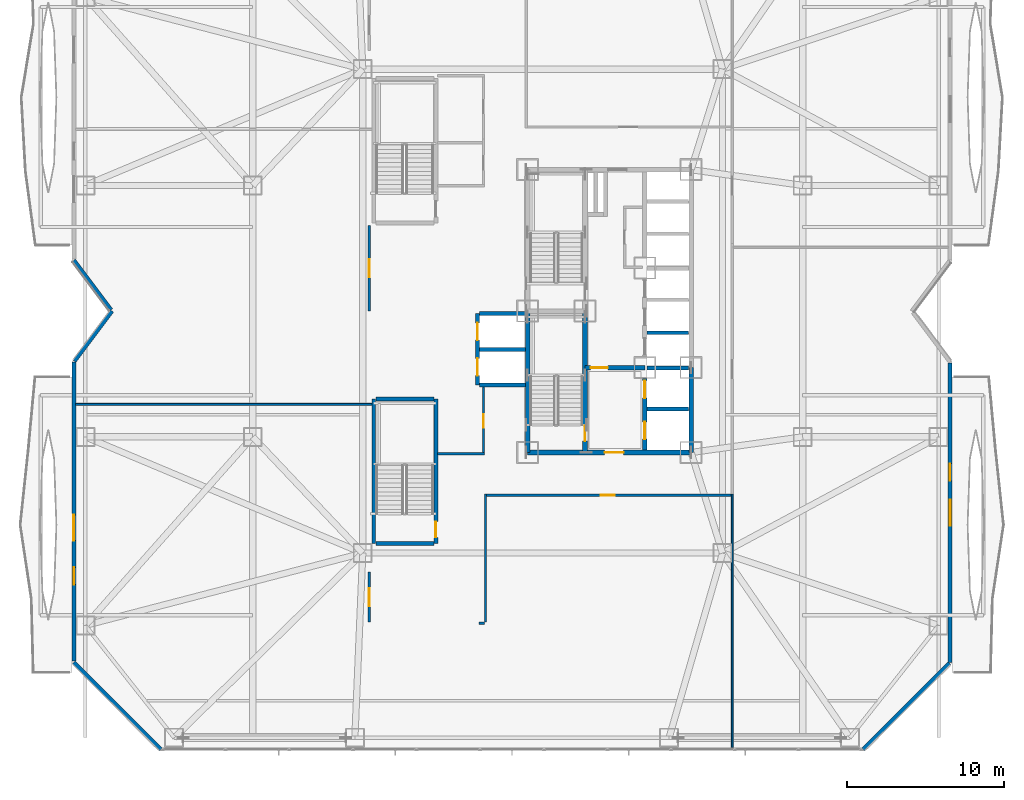
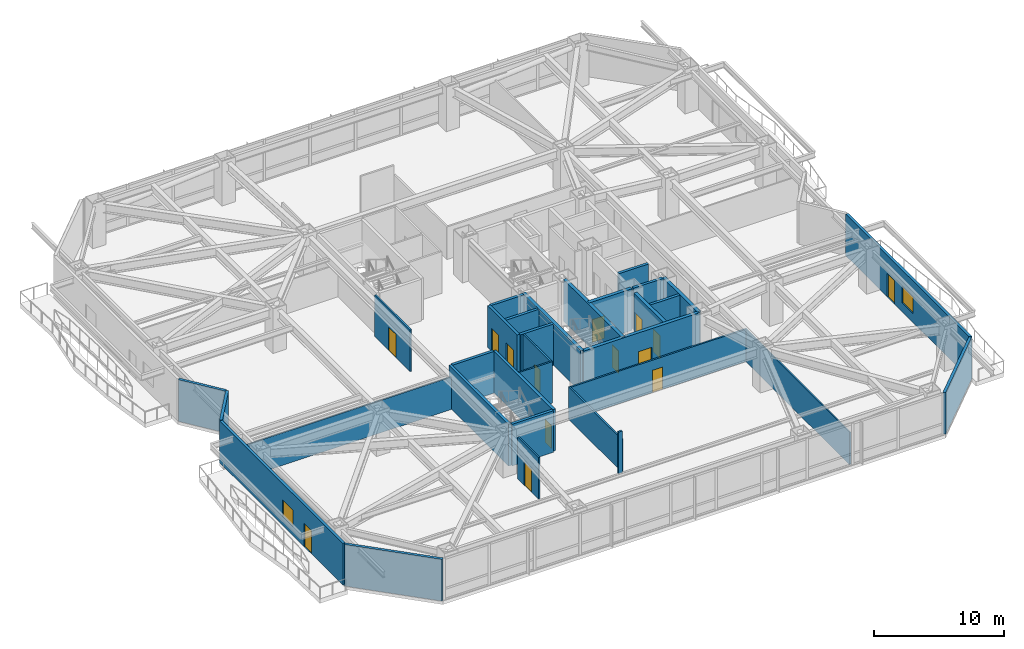
# One storey, part 23 of 32: 32 walls, 14 doors, 2 windows, 16 openings.
"""IFC4 building model written with IfcOpenShell, lengths in metres."""

from ifc_helpers import new_model, si_unit, direction, frame, frame_2d, origin, place, context, subcontext, project, spatial, rectangle, extrude, material, layer, layer_set, type_object, element, fill, save


model = new_model("IFC4")

# Units and contexts
model_context = context("Model", 3, precision=1e-05, world=origin(), true_north=direction((0.0, 1.0)))
body_context = subcontext(model_context, "Body", "Model", "MODEL_VIEW")
ifc_project = project(units=[si_unit("LENGTHUNIT", "METRE"), si_unit("AREAUNIT", "SQUARE_METRE"), si_unit("VOLUMEUNIT", "CUBIC_METRE"), si_unit("PLANEANGLEUNIT", "RADIAN"), si_unit("MASSUNIT", "GRAM", prefix="KILO")], contexts=[model_context])

# Site, building, storey
site_placement = place(None, origin())
site = spatial("IfcSite", under=ifc_project, at=site_placement, CompositionType="ELEMENT")
building_placement = place(site_placement, origin())
building = spatial("IfcBuilding", under=site, at=building_placement, Name="Khamvora Tower", CompositionType="ELEMENT")
storey_placement = place(building_placement, frame((0.0, 0.0, 12.0)))
storey = spatial("IfcBuildingStorey", under=building, at=storey_placement, Name="L02", CompositionType="ELEMENT", Elevation=12.0)

# Wall
ifc_material_1 = material(Name="Concrete C50/60", Category="concrete")
ifc_layer_1 = layer(ifc_material_1, 0.300048828125)
ifc_layer_set_1 = layer_set([ifc_layer_1], Name="Concrete C50/60")
wall_type_1 = type_object("IfcWallType", Name="WAL-CORE-300", PredefinedType="SHEAR", material=ifc_layer_set_1)
wall_1_placement = place(storey_placement, frame((29.0, 19.0, 0.0), z_axis=(0.0, 0.0, 1.0), x_axis=(0.0, 1.0, 0.0)))
element("IfcWall", 1, at=wall_1_placement, inside=storey, type_object=wall_type_1, Name="L02 central core west south wall", PredefinedType="SHEAR", context=body_context, shape_type="SweptSolid", body=[
    extrude(rectangle(XDim=9.0, YDim=0.300048828125, at=frame_2d((4.5, 0.0))), origin(), (0.0, 0.0, 1.0), 3.919921875),
])

# Wall, opening, door
wall_2_placement = place(storey_placement, frame((29.0, 19.0, 0.0), z_axis=(0.0, 0.0, 1.0), x_axis=(1.0, 0.0, 0.0)))
wall_2 = element("IfcWall", 2, at=wall_2_placement, inside=storey, type_object=wall_type_1, Name="L02 central core south wall", PredefinedType="SHEAR", context=body_context, shape_type="SweptSolid", body=[
    extrude(rectangle(XDim=10.39990234375, YDim=0.300048828125, at=frame_2d((5.199951171875, 0.0))), origin(), (0.0, 0.0, 1.0), 3.919921875),
])
opening_1_placement = place(wall_2_placement, frame((4.89990234375, 0.0, 0.0)))
opening_1 = element("IfcOpeningElement", 3, at=opening_1_placement, cuts=wall_2, Name="Opening D-CR1", PredefinedType="OPENING", context=body_context, shape_type="SweptSolid", body=[
    extrude(rectangle(XDim=1.199951171875, YDim=2.14990234375, at=frame_2d((0.60009765625, 1.074951171875))), frame((0.0, 0.159912109375, 0.0), z_axis=(0.0, -1.0, 0.0), x_axis=(1.0, 0.0, 0.0)), (0.0, 0.0, 1.0), 0.320068359375),
])
ifc_material_2 = material(Name="Powder-Coated Steel and Hardwood Leaf", Category="steel")
door_type_1 = type_object("IfcDoorType", Name="DOR-CORR-1200", OperationType="NOTDEFINED", PredefinedType="DOOR", material=ifc_material_2)
door_1_placement = place(opening_1_placement, origin())
door_1 = element("IfcDoor", 4, at=door_1_placement, inside=storey, type_object=door_type_1, Name="L02 south core lobby to corridor fire door", OperationType="SINGLE_SWING_RIGHT", OverallHeight=2.14990234375, OverallWidth=1.199951171875, PredefinedType="DOOR", context=body_context, shape_type="SweptSolid", body=[
    extrude(rectangle(XDim=1.199951171875, YDim=2.14990234375, at=frame_2d((0.60009765625, 1.074951171875))), frame((0.0, 0.02490234375, 0.0), z_axis=(0.0, -1.0, 0.0), x_axis=(1.0, 0.0, 0.0)), (0.0, 0.0, 1.0), 0.050048828125),
])
fill(opening_1, door_1)

# Wall
wall_3_placement = place(storey_placement, frame((39.39990234375, 19.0, 0.0), z_axis=(0.0, 0.0, 1.0), x_axis=(0.0, 1.0, 0.0)))
element("IfcWall", 5, at=wall_3_placement, inside=storey, type_object=wall_type_1, Name="L02 central core east south wall", PredefinedType="SHEAR", context=body_context, shape_type="SweptSolid", body=[
    extrude(rectangle(XDim=5.39990234375, YDim=0.300048828125, at=frame_2d((2.699951171875, 0.0))), origin(), (0.0, 0.0, 1.0), 3.919921875),
])

# Wall, opening, door
wall_4_placement = place(storey_placement, frame((32.64990234375, 19.0, 0.0), z_axis=(0.0, 0.0, 1.0), x_axis=(0.0, 1.0, 0.0)))
wall_4 = element("IfcWall", 6, at=wall_4_placement, inside=storey, type_object=wall_type_1, Name="L02 central core stair south spine wall", PredefinedType="SHEAR", context=body_context, shape_type="SweptSolid", body=[
    extrude(rectangle(XDim=9.0, YDim=0.300048828125, at=frame_2d((4.5, 0.0))), origin(), (0.0, 0.0, 1.0), 3.919921875),
])
opening_2_placement = place(wall_4_placement, frame((0.719970703125, 0.0, 0.0)))
opening_2 = element("IfcOpeningElement", 7, at=opening_2_placement, cuts=wall_4, Name="Opening D-ST1", PredefinedType="OPENING", context=body_context, shape_type="SweptSolid", body=[
    extrude(rectangle(XDim=1.0, YDim=2.14990234375, at=frame_2d((0.5, 1.074951171875))), frame((0.0, 0.159912109375, 0.0), z_axis=(0.0, -1.0, 0.0), x_axis=(1.0, 0.0, 0.0)), (0.0, 0.0, 1.0), 0.320068359375),
])
door_type_2 = type_object("IfcDoorType", Name="DOR-STAIR-1000", OperationType="NOTDEFINED", PredefinedType="DOOR", material=ifc_material_2)
door_2_placement = place(opening_2_placement, origin())
door_2 = element("IfcDoor", 8, at=door_2_placement, inside=storey, type_object=door_type_2, Name="L02 exit stair ST-01 fire door", OperationType="SINGLE_SWING_RIGHT", OverallHeight=2.14990234375, OverallWidth=1.0, PredefinedType="DOOR", context=body_context, shape_type="SweptSolid", body=[
    extrude(rectangle(XDim=1.0, YDim=2.14990234375, at=frame_2d((0.5, 1.074951171875))), frame((0.0, 0.02490234375, 0.0), z_axis=(0.0, -1.0, 0.0), x_axis=(1.0, 0.0, 0.0)), (0.0, 0.0, 1.0), 0.050048828125),
])
fill(opening_2, door_2)

wall_5_placement = place(storey_placement, frame((32.64990234375, 24.39990234375, 0.0), z_axis=(0.0, 0.0, 1.0), x_axis=(1.0, 0.0, 0.0)))
wall_5 = element("IfcWall", 9, at=wall_5_placement, inside=storey, type_object=wall_type_1, Name="L02 central core firefighting lobby north wall", PredefinedType="SHEAR", context=body_context, shape_type="SweptSolid", body=[
    extrude(rectangle(XDim=3.800048828125, YDim=0.300048828125, at=frame_2d((1.89990234375, 0.0))), origin(), (0.0, 0.0, 1.0), 3.919921875),
])
opening_3_placement = place(wall_5_placement, frame((0.35009765625, 0.0, 0.0)))
opening_3 = element("IfcOpeningElement", 10, at=opening_3_placement, cuts=wall_5, Name="Opening D-FF1", PredefinedType="OPENING", context=body_context, shape_type="SweptSolid", body=[
    extrude(rectangle(XDim=1.10009765625, YDim=2.14990234375, at=frame_2d((0.550048828125, 1.074951171875))), frame((0.0, 0.159912109375, 0.0), z_axis=(0.0, -1.0, 0.0), x_axis=(1.0, 0.0, 0.0)), (0.0, 0.0, 1.0), 0.320068359375),
])
door_type_3 = type_object("IfcDoorType", Name="DOR-FFLOB-1100", OperationType="NOTDEFINED", PredefinedType="DOOR", material=ifc_material_2)
door_3_placement = place(opening_3_placement, origin())
door_3 = element("IfcDoor", 11, at=door_3_placement, inside=storey, type_object=door_type_3, Name="L02 firefighting lobby smoke-seal fire door", OperationType="SINGLE_SWING_LEFT", OverallHeight=2.14990234375, OverallWidth=1.10009765625, PredefinedType="DOOR", context=body_context, shape_type="SweptSolid", body=[
    extrude(rectangle(XDim=1.10009765625, YDim=2.14990234375, at=frame_2d((0.550048828125, 1.074951171875))), frame((0.0, 0.02490234375, 0.0), z_axis=(0.0, -1.0, 0.0), x_axis=(1.0, 0.0, 0.0)), (0.0, 0.0, 1.0), 0.050048828125),
])
fill(opening_3, door_3)

# Wall, openings, doors
wall_6_placement = place(storey_placement, frame((36.449951171875, 19.154052734375, 0.0), z_axis=(0.0, 0.0, 1.0), x_axis=(0.0, 1.0, 0.0)))
wall_6 = element("IfcWall", 12, at=wall_6_placement, inside=storey, type_object=wall_type_1, Name="L02 central core lift bank south wall", PredefinedType="SHEAR", context=body_context, shape_type="SweptSolid", body=[
    extrude(rectangle(XDim=4.5458984375, YDim=0.300048828125, at=frame_2d((2.27294921875, 0.0))), origin(), (0.0, 0.0, 1.0), 3.919921875),
])
opening_4_placement = place(wall_6_placement, frame((0.696044921875, 0.0, 0.0)))
opening_4 = element("IfcOpeningElement", 13, at=opening_4_placement, cuts=wall_6, Name="Opening LD-FFL", PredefinedType="OPENING", context=body_context, shape_type="SweptSolid", body=[
    extrude(rectangle(XDim=1.10009765625, YDim=2.14990234375, at=frame_2d((0.550048828125, 1.074951171875))), frame((0.0, 0.159912109375, 0.0), z_axis=(0.0, -1.0, 0.0), x_axis=(1.0, 0.0, 0.0)), (0.0, 0.0, 1.0), 0.320068359375),
])
opening_5_placement = place(wall_6_placement, frame((3.31591796875, 0.0, 0.0)))
opening_5 = element("IfcOpeningElement", 14, at=opening_5_placement, cuts=wall_6, Name="Opening LD-FFL", PredefinedType="OPENING", context=body_context, shape_type="SweptSolid", body=[
    extrude(rectangle(XDim=1.10009765625, YDim=2.14990234375, at=frame_2d((0.550048828125, 1.074951171875))), frame((0.0, 0.159912109375, 0.0), z_axis=(0.0, -1.0, 0.0), x_axis=(1.0, 0.0, 0.0)), (0.0, 0.0, 1.0), 0.320068359375),
])
door_type_4 = type_object("IfcDoorType", Name="DOR-LIFT-1100", OperationType="SLIDING_TO_LEFT", PredefinedType="DOOR", material=ifc_material_2)
door_4_placement = place(opening_4_placement, origin())
door_4 = element("IfcDoor", 15, at=door_4_placement, inside=storey, type_object=door_type_4, Name="L02 lift landing sliding door FFL-01", OperationType="SLIDING_TO_LEFT", OverallHeight=2.14990234375, OverallWidth=1.10009765625, PredefinedType="DOOR", context=body_context, shape_type="SweptSolid", body=[
    extrude(rectangle(XDim=1.10009765625, YDim=2.14990234375, at=frame_2d((0.550048828125, 1.074951171875))), frame((0.0, 0.02490234375, 0.0), z_axis=(0.0, -1.0, 0.0), x_axis=(1.0, 0.0, 0.0)), (0.0, 0.0, 1.0), 0.050048828125),
])
fill(opening_4, door_4)
door_5_placement = place(opening_5_placement, origin())
door_5 = element("IfcDoor", 16, at=door_5_placement, inside=storey, type_object=door_type_4, Name="L02 lift landing sliding door FFL-02", OperationType="SLIDING_TO_LEFT", OverallHeight=2.14990234375, OverallWidth=1.10009765625, PredefinedType="DOOR", context=body_context, shape_type="SweptSolid", body=[
    extrude(rectangle(XDim=1.10009765625, YDim=2.14990234375, at=frame_2d((0.550048828125, 1.074951171875))), frame((0.0, 0.02490234375, 0.0), z_axis=(0.0, -1.0, 0.0), x_axis=(1.0, 0.0, 0.0)), (0.0, 0.0, 1.0), 0.050048828125),
])
fill(opening_5, door_5)

# Wall
ifc_material_3 = material(Name="Fire-Rated Drywall and Steel Stud", Category="steel")
ifc_layer_2 = layer(ifc_material_3, 0.14990234375)
ifc_layer_set_2 = layer_set([ifc_layer_2], Name="Fire-Rated Drywall and Steel Stud")
wall_type_2 = type_object("IfcWallType", Name="WAL-CORR-150", PredefinedType="STANDARD", material=ifc_layer_set_2)
wall_7_placement = place(storey_placement, frame((23.26708984375, 18.9150390625, 0.0), z_axis=(0.0, 0.0, 1.0), x_axis=(1.0, 0.0, 0.0)))
element("IfcWall", 17, at=wall_7_placement, inside=storey, type_object=wall_type_2, Name="L02 interior partition wall 004", PredefinedType="STANDARD", context=body_context, shape_type="SweptSolid", body=[
    extrude(rectangle(XDim=2.98291015625, YDim=0.14990234375, at=frame_2d((1.491455078125, 0.0))), origin(), (0.0, 0.0, 1.0), 3.919921875),
])

# Wall, opening, door
wall_8_placement = place(storey_placement, frame((26.18505859375, 18.85205078125, 0.0), z_axis=(0.0, 0.0, 1.0), x_axis=(0.0, 1.0, 0.0)))
wall_8 = element("IfcWall", 18, at=wall_8_placement, inside=storey, type_object=wall_type_2, Name="L02 interior partition wall 005", PredefinedType="STANDARD", context=body_context, shape_type="SweptSolid", body=[
    extrude(rectangle(XDim=4.3310546875, YDim=0.14990234375, at=frame_2d((2.16552734375, 0.0))), origin(), (0.0, 0.0, 1.0), 3.919921875),
])
opening_6_placement = place(wall_8_placement, frame((1.740966796875, 0.0, 0.0)))
opening_6 = element("IfcOpeningElement", 19, at=opening_6_placement, cuts=wall_8, Name="Opening D-WC1", PredefinedType="OPENING", context=body_context, shape_type="SweptSolid", body=[
    extrude(rectangle(XDim=0.85009765625, YDim=2.10009765625, at=frame_2d((0.425048828125, 1.050048828125))), frame((0.0, 0.0849609375, 0.0), z_axis=(0.0, -1.0, 0.0), x_axis=(1.0, 0.0, 0.0)), (0.0, 0.0, 1.0), 0.169921875),
])
door_type_5 = type_object("IfcDoorType", Name="DOR-WET-850", OperationType="NOTDEFINED", PredefinedType="DOOR", material=ifc_material_2)
door_6_placement = place(opening_6_placement, origin())
door_6 = element("IfcDoor", 20, at=door_6_placement, inside=storey, type_object=door_type_5, Name="L02 interior door SCOR-WCM", OperationType="SINGLE_SWING_LEFT", OverallHeight=2.10009765625, OverallWidth=0.85009765625, PredefinedType="DOOR", context=body_context, shape_type="SweptSolid", body=[
    extrude(rectangle(XDim=0.85009765625, YDim=2.10009765625, at=frame_2d((0.425048828125, 1.050048828125))), frame((0.0, 0.02490234375, 0.0), z_axis=(0.0, -1.0, 0.0), x_axis=(1.0, 0.0, 0.0)), (0.0, 0.0, 1.0), 0.050048828125),
])
fill(opening_6, door_6)

wall_9_placement = place(storey_placement, frame((18.9150390625, 8.199951171875, 0.0), z_axis=(0.0, 0.0, 1.0), x_axis=(0.0, 1.0, 0.0)))
wall_9 = element("IfcWall", 21, at=wall_9_placement, inside=storey, type_object=wall_type_2, Name="L02 interior partition wall 010", PredefinedType="STANDARD", context=body_context, shape_type="SweptSolid", body=[
    extrude(rectangle(XDim=3.199951171875, YDim=0.14990234375, at=frame_2d((1.60009765625, 0.0))), origin(), (0.0, 0.0, 1.0), 3.919921875),
])
opening_7_placement = place(wall_9_placement, frame((1.02490234375, 0.0, 0.0)))
opening_7 = element("IfcOpeningElement", 22, at=opening_7_placement, cuts=wall_9, Name="Opening D-SC1", PredefinedType="OPENING", context=body_context, shape_type="SweptSolid", body=[
    extrude(rectangle(XDim=1.14990234375, YDim=2.199951171875, at=frame_2d((0.574951171875, 1.10009765625))), frame((0.0, 0.0849609375, 0.0), z_axis=(0.0, -1.0, 0.0), x_axis=(1.0, 0.0, 0.0)), (0.0, 0.0, 1.0), 0.169921875),
])
door_type_6 = type_object("IfcDoorType", Name="DOR-SCHL-1150", OperationType="NOTDEFINED", PredefinedType="DOOR", material=ifc_material_2)
door_7_placement = place(opening_7_placement, origin())
door_7 = element("IfcDoor", 23, at=door_7_placement, inside=storey, type_object=door_type_6, Name="L02 interior door SCOR-CL1", OperationType="SINGLE_SWING_RIGHT", OverallHeight=2.199951171875, OverallWidth=1.14990234375, PredefinedType="DOOR", context=body_context, shape_type="SweptSolid", body=[
    extrude(rectangle(XDim=1.14990234375, YDim=2.199951171875, at=frame_2d((0.574951171875, 1.10009765625))), frame((0.0, 0.02490234375, 0.0), z_axis=(0.0, -1.0, 0.0), x_axis=(1.0, 0.0, 0.0)), (0.0, 0.0, 1.0), 0.050048828125),
])
fill(opening_7, door_7)

wall_10_placement = place(storey_placement, frame((18.9150390625, 28.0, 0.0), z_axis=(0.0, 0.0, 1.0), x_axis=(0.0, 1.0, 0.0)))
wall_10 = element("IfcWall", 24, at=wall_10_placement, inside=storey, type_object=wall_type_2, Name="L02 interior partition wall 011", PredefinedType="STANDARD", context=body_context, shape_type="SweptSolid", body=[
    extrude(rectangle(XDim=5.449951171875, YDim=0.14990234375, at=frame_2d((2.72509765625, 0.0))), origin(), (0.0, 0.0, 1.0), 3.919921875),
])
opening_8_placement = place(wall_10_placement, frame((2.14990234375, 0.0, 0.0)))
opening_8 = element("IfcOpeningElement", 25, at=opening_8_placement, cuts=wall_10, Name="Opening D-SC1", PredefinedType="OPENING", context=body_context, shape_type="SweptSolid", body=[
    extrude(rectangle(XDim=1.14990234375, YDim=2.199951171875, at=frame_2d((0.574951171875, 1.10009765625))), frame((0.0, 0.0849609375, 0.0), z_axis=(0.0, -1.0, 0.0), x_axis=(1.0, 0.0, 0.0)), (0.0, 0.0, 1.0), 0.169921875),
])
door_8_placement = place(opening_8_placement, origin())
door_8 = element("IfcDoor", 26, at=door_8_placement, inside=storey, type_object=door_type_6, Name="L02 interior door SCOR-CL2", OperationType="SINGLE_SWING_LEFT", OverallHeight=2.199951171875, OverallWidth=1.14990234375, PredefinedType="DOOR", context=body_context, shape_type="SweptSolid", body=[
    extrude(rectangle(XDim=1.14990234375, YDim=2.199951171875, at=frame_2d((0.574951171875, 1.10009765625))), frame((0.0, 0.02490234375, 0.0), z_axis=(0.0, -1.0, 0.0), x_axis=(1.0, 0.0, 0.0)), (0.0, 0.0, 1.0), 0.050048828125),
])
fill(opening_8, door_8)

wall_11_placement = place(storey_placement, frame((41.949951171875, 16.284912109375, 0.0), z_axis=(0.0, 0.0, 1.0), x_axis=(-1.0, 0.0, 0.0)))
wall_11 = element("IfcWall", 27, at=wall_11_placement, inside=storey, type_object=wall_type_2, Name="L02 interior partition wall 015", PredefinedType="STANDARD", context=body_context, shape_type="SweptSolid", body=[
    extrude(rectangle(XDim=15.699951171875, YDim=0.14990234375, at=frame_2d((7.85009765625, 0.0))), origin(), (0.0, 0.0, 1.0), 3.054931640625),
])
opening_9_placement = place(wall_11_placement, frame((7.39990234375, 0.0, 0.0)))
opening_9 = element("IfcOpeningElement", 28, at=opening_9_placement, cuts=wall_11, Name="Opening D-RM1", PredefinedType="OPENING", context=body_context, shape_type="SweptSolid", body=[
    extrude(rectangle(XDim=0.89990234375, YDim=2.10009765625, at=frame_2d((0.449951171875, 1.050048828125))), frame((0.0, 0.0849609375, 0.0), z_axis=(0.0, -1.0, 0.0), x_axis=(1.0, 0.0, 0.0)), (0.0, 0.0, 1.0), 0.169921875),
])
door_type_7 = type_object("IfcDoorType", Name="DOR-ROOM-900", OperationType="NOTDEFINED", PredefinedType="DOOR", material=ifc_material_2)
door_9_placement = place(opening_9_placement, origin())
door_9 = element("IfcDoor", 29, at=door_9_placement, inside=storey, type_object=door_type_7, Name="L02 interior door SCOR-STF", OperationType="SINGLE_SWING_LEFT", OverallHeight=2.10009765625, OverallWidth=0.89990234375, PredefinedType="DOOR", context=body_context, shape_type="SweptSolid", body=[
    extrude(rectangle(XDim=0.89990234375, YDim=2.10009765625, at=frame_2d((0.449951171875, 1.050048828125))), frame((0.0, 0.02490234375, 0.0), z_axis=(0.0, -1.0, 0.0), x_axis=(1.0, 0.0, 0.0)), (0.0, 0.0, 1.0), 0.050048828125),
])
fill(opening_9, door_9)

# Walls
wall_12_placement = place(storey_placement, frame((26.31494140625, 16.35009765625, 0.0), z_axis=(0.0, 0.0, 1.0), x_axis=(0.0, -1.0, 0.0)))
element("IfcWall", 30, at=wall_12_placement, inside=storey, type_object=wall_type_2, Name="L02 interior partition wall 016", PredefinedType="STANDARD", context=body_context, shape_type="SweptSolid", body=[
    extrude(rectangle(XDim=8.150146484375, YDim=0.14990234375, at=frame_2d((4.0751953125, 0.0))), origin(), (0.0, 0.0, 1.0), 3.054931640625),
])
wall_13_placement = place(storey_placement, frame((26.25, 8.135009765625, 0.0), z_axis=(0.0, 0.0, 1.0), x_axis=(-1.0, 0.0, 0.0)))
element("IfcWall", 31, at=wall_13_placement, inside=storey, type_object=wall_type_2, Name="L02 interior partition wall 017", PredefinedType="STANDARD", context=body_context, shape_type="SweptSolid", body=[
    extrude(rectangle(XDim=0.339111328125, YDim=0.14990234375, at=frame_2d((0.16943359375, 0.0))), origin(), (0.0, 0.0, 1.0), 3.919921875),
])
ifc_material_4 = material(Name="Precast concrete C40/50", Category="concrete")
ifc_layer_3 = layer(ifc_material_4, 0.239990234375)
ifc_layer_set_3 = layer_set([ifc_layer_3], Name="Precast concrete C40/50")
wall_type_3 = type_object("IfcWallType", Name="WAL-EXT-240", PredefinedType="STANDARD", material=ifc_layer_set_3)
wall_14_placement = place(storey_placement, frame((5.64990234375, 0.1201171875, 0.0), z_axis=(0.0, 0.0, 1.0), x_axis=(-0.707106781187, 0.707106781187, 0.0)))
element("IfcWall", 32, at=wall_14_placement, inside=storey, type_object=wall_type_3, Name="L02 exterior facade wall 01.1", PredefinedType="STANDARD", context=body_context, shape_type="SweptSolid", body=[
    extrude(rectangle(XDim=7.8203125, YDim=0.239990234375, at=frame_2d((3.91015625, 0.0))), origin(), (0.0, 0.0, 1.0), 3.919921875),
])

# Wall, openings, door, window
wall_15_placement = place(storey_placement, frame((0.1201171875, 5.72802734375, 0.0), z_axis=(0.0, 0.0, 1.0), x_axis=(0.0, 1.0, 0.0)))
wall_15 = element("IfcWall", 33, at=wall_15_placement, inside=storey, type_object=wall_type_3, Name="L02 exterior facade wall 02.1", PredefinedType="STANDARD", context=body_context, shape_type="SweptSolid", body=[
    extrude(rectangle(XDim=19.031982421875, YDim=0.239990234375, at=frame_2d((9.51611328125, 0.0))), origin(), (0.0, 0.0, 1.0), 3.919921875),
])
opening_10_placement = place(wall_15_placement, frame((4.868896484375, 0.0, 0.0)))
opening_10 = element("IfcOpeningElement", 34, at=opening_10_placement, cuts=wall_15, Name="Opening BD-01", PredefinedType="OPENING", context=body_context, shape_type="SweptSolid", body=[
    extrude(rectangle(XDim=1.10009765625, YDim=2.199951171875, at=frame_2d((0.550048828125, 1.10009765625))), frame((0.0, 0.1298828125, 0.0), z_axis=(0.0, -1.0, 0.0), x_axis=(1.0, 0.0, 0.0)), (0.0, 0.0, 1.0), 0.260009765625),
])
opening_11_placement = place(wall_15_placement, frame((7.660888671875, 0.0, 0.85009765625)))
opening_11 = element("IfcOpeningElement", 35, at=opening_11_placement, cuts=wall_15, Name="Opening WN-06", PredefinedType="OPENING", context=body_context, shape_type="SweptSolid", body=[
    extrude(rectangle(XDim=1.64990234375, YDim=1.550048828125, at=frame_2d((0.824951171875, 0.77490234375))), frame((0.0, 0.1298828125, 0.0), z_axis=(0.0, -1.0, 0.0), x_axis=(1.0, 0.0, 0.0)), (0.0, 0.0, 1.0), 0.260009765625),
])
ifc_material_5 = material(Name="Anodised Aluminium and Laminated Safety Glass", Category="aluminium")
door_type_8 = type_object("IfcDoorType", Name="DOR-BAL-1100", OperationType="NOTDEFINED", PredefinedType="DOOR", material=ifc_material_5)
door_10_placement = place(opening_10_placement, origin())
door_10 = element("IfcDoor", 36, at=door_10_placement, inside=storey, type_object=door_type_8, Name="L02 lens gallery balcony door WL1", OperationType="SLIDING_TO_LEFT", OverallHeight=2.199951171875, OverallWidth=1.10009765625, PredefinedType="DOOR", context=body_context, shape_type="SweptSolid", body=[
    extrude(rectangle(XDim=1.10009765625, YDim=2.199951171875, at=frame_2d((0.550048828125, 1.10009765625))), frame((0.0, 0.02490234375, 0.0), z_axis=(0.0, -1.0, 0.0), x_axis=(1.0, 0.0, 0.0)), (0.0, 0.0, 1.0), 0.050048828125),
])
fill(opening_10, door_10)
ifc_material_6 = material(Name="Low-E Laminated Double Glazing", Category="glass")
window_type = type_object("IfcWindowType", Name="WIN-VIS-1650x1550", PartitioningType="SINGLE_PANEL", PredefinedType="WINDOW", material=ifc_material_6)
window_1_placement = place(opening_11_placement, origin())
window_1 = element("IfcWindow", 37, at=window_1_placement, inside=storey, type_object=window_type, Name="L02 vision window 02.1.01", OverallHeight=1.550048828125, OverallWidth=1.64990234375, PartitioningType="SINGLE_PANEL", PredefinedType="WINDOW", context=body_context, shape_type="SweptSolid", body=[
    extrude(rectangle(XDim=1.64990234375, YDim=1.550048828125, at=frame_2d((0.824951171875, 0.77490234375))), frame((0.0, 0.030029296875, 0.0), z_axis=(0.0, -1.0, 0.0), x_axis=(1.0, 0.0, 0.0)), (0.0, 0.0, 1.0), 0.06005859375),
])
fill(opening_11, window_1)

# Walls
wall_16_placement = place(storey_placement, frame((0.157958984375, 24.81103515625, 0.0), z_axis=(0.0, 0.0, 1.0), x_axis=(0.600058791648, 0.799955902889, 0.0)))
element("IfcWall", 38, at=wall_16_placement, inside=storey, type_object=wall_type_3, Name="L02 exterior facade wall 03.1", PredefinedType="STANDARD", context=body_context, shape_type="SweptSolid", body=[
    extrude(rectangle(XDim=3.986328125, YDim=0.239990234375, at=frame_2d((1.9931640625, 0.0))), origin(), (0.0, 0.0, 1.0), 3.919921875),
])
wall_17_placement = place(storey_placement, frame((2.487060546875, 28.083984375, 0.0), z_axis=(0.0, 0.0, 1.0), x_axis=(-0.599990098106, 0.800007426325, 0.0)))
element("IfcWall", 39, at=wall_17_placement, inside=storey, type_object=wall_type_3, Name="L02 exterior facade wall 04.1", PredefinedType="STANDARD", context=body_context, shape_type="SweptSolid", body=[
    extrude(rectangle(XDim=3.945068359375, YDim=0.239990234375, at=frame_2d((1.97265625, 0.0))), origin(), (0.0, 0.0, 1.0), 3.919921875),
])

# Wall, openings, door, window
wall_18_placement = place(storey_placement, frame((55.8798828125, 24.697998046875, 0.0), z_axis=(0.0, 0.0, 1.0), x_axis=(0.0, -1.0, 0.0)))
wall_18 = element("IfcWall", 40, at=wall_18_placement, inside=storey, type_object=wall_type_3, Name="L02 exterior facade wall 12.1", PredefinedType="STANDARD", context=body_context, shape_type="SweptSolid", body=[
    extrude(rectangle(XDim=19.048095703125, YDim=0.239990234375, at=frame_2d((9.52392578125, 0.0))), origin(), (0.0, 0.0, 1.0), 3.919921875),
])
opening_12_placement = place(wall_18_placement, frame((6.40087890625, 0.0, 0.0)))
opening_12 = element("IfcOpeningElement", 41, at=opening_12_placement, cuts=wall_18, Name="Opening BD-01", PredefinedType="OPENING", context=body_context, shape_type="SweptSolid", body=[
    extrude(rectangle(XDim=1.10009765625, YDim=2.199951171875, at=frame_2d((0.550048828125, 1.10009765625))), frame((0.0, 0.1298828125, 0.0), z_axis=(0.0, -1.0, 0.0), x_axis=(1.0, 0.0, 0.0)), (0.0, 0.0, 1.0), 0.260009765625),
])
opening_13_placement = place(wall_18_placement, frame((8.698974609375, 0.0, 0.85009765625)))
opening_13 = element("IfcOpeningElement", 42, at=opening_13_placement, cuts=wall_18, Name="Opening WN-06", PredefinedType="OPENING", context=body_context, shape_type="SweptSolid", body=[
    extrude(rectangle(XDim=1.64990234375, YDim=1.550048828125, at=frame_2d((0.824951171875, 0.77490234375))), frame((0.0, 0.1298828125, 0.0), z_axis=(0.0, -1.0, 0.0), x_axis=(1.0, 0.0, 0.0)), (0.0, 0.0, 1.0), 0.260009765625),
])
door_11_placement = place(opening_12_placement, origin())
door_11 = element("IfcDoor", 43, at=door_11_placement, inside=storey, type_object=door_type_8, Name="L02 lens gallery balcony door EL1", OperationType="SLIDING_TO_LEFT", OverallHeight=2.199951171875, OverallWidth=1.10009765625, PredefinedType="DOOR", context=body_context, shape_type="SweptSolid", body=[
    extrude(rectangle(XDim=1.10009765625, YDim=2.199951171875, at=frame_2d((0.550048828125, 1.10009765625))), frame((0.0, 0.02490234375, 0.0), z_axis=(0.0, -1.0, 0.0), x_axis=(1.0, 0.0, 0.0)), (0.0, 0.0, 1.0), 0.050048828125),
])
fill(opening_12, door_11)
window_2_placement = place(opening_13_placement, origin())
window_2 = element("IfcWindow", 44, at=window_2_placement, inside=storey, type_object=window_type, Name="L02 vision window 12.1.01", OverallHeight=1.550048828125, OverallWidth=1.64990234375, PartitioningType="SINGLE_PANEL", PredefinedType="WINDOW", context=body_context, shape_type="SweptSolid", body=[
    extrude(rectangle(XDim=1.64990234375, YDim=1.550048828125, at=frame_2d((0.824951171875, 0.77490234375))), frame((0.0, 0.030029296875, 0.0), z_axis=(0.0, -1.0, 0.0), x_axis=(1.0, 0.0, 0.0)), (0.0, 0.0, 1.0), 0.06005859375),
])
fill(opening_13, window_2)

# Walls
wall_19_placement = place(storey_placement, frame((55.825927734375, 5.595947265625, 0.0), z_axis=(0.0, 0.0, 1.0), x_axis=(-0.707106781187, -0.707106781187, 0.0)))
element("IfcWall", 45, at=wall_19_placement, inside=storey, type_object=wall_type_3, Name="L02 exterior facade wall 13.1", PredefinedType="STANDARD", context=body_context, shape_type="SweptSolid", body=[
    extrude(rectangle(XDim=7.743896484375, YDim=0.239990234375, at=frame_2d((3.8720703125, 0.0))), origin(), (0.0, 0.0, 1.0), 3.919921875),
])
ifc_material_7 = material(Name="Gypsum Plasterboard Partition", Category="gypsum")
ifc_layer_4 = layer(ifc_material_7, 0.1201171875)
ifc_layer_set_4 = layer_set([ifc_layer_4], Name="Gypsum Plasterboard Partition")
wall_type_4 = type_object("IfcWallType", Name="WAL-PART-120", PredefinedType="PARTITIONING", material=ifc_layer_set_4)
wall_20_placement = place(storey_placement, frame((0.23193359375, 22.06494140625, 0.0), z_axis=(0.0, 0.0, 1.0), x_axis=(1.0, 0.0, 0.0)))
element("IfcWall", 46, at=wall_20_placement, inside=storey, type_object=wall_type_4, Name="L02 interior partition wall 022", PredefinedType="PARTITIONING", context=body_context, shape_type="SweptSolid", body=[
    extrude(rectangle(XDim=18.84912109375, YDim=0.1201171875, at=frame_2d((9.424560546875, 0.0))), origin(), (0.0, 0.0, 1.0), 3.054931640625),
])
wall_21_placement = place(storey_placement, frame((42.014892578125, 0.221923828125, 0.0), z_axis=(0.0, 0.0, 1.0), x_axis=(0.0, 1.0, 0.0)))
element("IfcWall", 47, at=wall_21_placement, inside=storey, type_object=wall_type_4, Name="L02 interior partition wall 025", PredefinedType="PARTITIONING", context=body_context, shape_type="SweptSolid", body=[
    extrude(rectangle(XDim=16.128173828125, YDim=0.1201171875, at=frame_2d((8.06396484375, 0.0))), origin(), (0.0, 0.0, 1.0), 3.054931640625),
])
ifc_material_8 = material(Name="Concrete C40/50", Category="concrete")
ifc_layer_5 = layer(ifc_material_8, 0.25)
ifc_layer_set_5 = layer_set([ifc_layer_5], Name="Concrete C40/50")
wall_type_5 = type_object("IfcWallType", Name="WAL-PODS-250", PredefinedType="SHEAR", material=ifc_layer_set_5)
for number, where, z_axis, x_axis, name in (
    (48, (36.60400390625, 21.77490234375, 0.0), (0.0, 0.0, 1.0), (1.0, 0.0, 0.0), "L02 lift shaft divider wall FFL-01"),
    (49, (36.60400390625, 24.375, 0.0), (0.0, 0.0, 1.0), (1.0, 0.0, 0.0), "L02 lift shaft divider wall FFL-02"),
    (50, (36.60400390625, 26.625, 0.0), (0.0, 0.0, 1.0), (1.0, 0.0, 0.0), "L02 lift shaft divider wall PL-01"),
):
    element("IfcWall", number, at=place(storey_placement, frame(where, z_axis=z_axis, x_axis=x_axis)), inside=storey, type_object=wall_type_5, Name=name, PredefinedType="SHEAR", context=body_context, shape_type="SweptSolid", body=[
        extrude(rectangle(XDim=2.64208984375, YDim=0.25, at=frame_2d((1.321044921875, 0.0))), origin(), (0.0, 0.0, 1.0), 3.919921875),
    ])
wall_22_placement = place(storey_placement, frame((19.199951171875, 13.199951171875, 0.0), z_axis=(0.0, 0.0, 1.0), x_axis=(0.0, 1.0, 0.0)))
element("IfcWall", 51, at=wall_22_placement, inside=storey, type_object=wall_type_5, Name="L02 podium stair core wall st3 w", PredefinedType="SHEAR", context=body_context, shape_type="SweptSolid", body=[
    extrude(rectangle(XDim=9.199951171875, YDim=0.25, at=frame_2d((4.60009765625, 0.0))), origin(), (0.0, 0.0, 1.0), 3.919921875),
])

# Wall, opening, door
wall_23_placement = place(storey_placement, frame((23.14990234375, 13.199951171875, 0.0), z_axis=(0.0, 0.0, 1.0), x_axis=(0.0, 1.0, 0.0)))
wall_23 = element("IfcWall", 52, at=wall_23_placement, inside=storey, type_object=wall_type_5, Name="L02 podium stair core wall st3 e", PredefinedType="SHEAR", context=body_context, shape_type="SweptSolid", body=[
    extrude(rectangle(XDim=9.199951171875, YDim=0.25, at=frame_2d((4.60009765625, 0.0))), origin(), (0.0, 0.0, 1.0), 3.919921875),
])
opening_14_placement = place(wall_23_placement, frame((0.39990234375, 0.0, 0.0)))
opening_14 = element("IfcOpeningElement", 53, at=opening_14_placement, cuts=wall_23, Name="Opening D-ST1", PredefinedType="OPENING", context=body_context, shape_type="SweptSolid", body=[
    extrude(rectangle(XDim=1.0, YDim=2.14990234375, at=frame_2d((0.5, 1.074951171875))), frame((0.0, 0.135009765625, 0.0), z_axis=(0.0, -1.0, 0.0), x_axis=(1.0, 0.0, 0.0)), (0.0, 0.0, 1.0), 0.27001953125),
])
door_12_placement = place(opening_14_placement, origin())
door_12 = element("IfcDoor", 54, at=door_12_placement, inside=storey, type_object=door_type_2, Name="L02 podium stair ST3 enclosure door", OperationType="SINGLE_SWING_LEFT", OverallHeight=2.14990234375, OverallWidth=1.0, PredefinedType="DOOR", context=body_context, shape_type="SweptSolid", body=[
    extrude(rectangle(XDim=1.0, YDim=2.14990234375, at=frame_2d((0.5, 1.074951171875))), frame((0.0, 0.02490234375, 0.0), z_axis=(0.0, -1.0, 0.0), x_axis=(1.0, 0.0, 0.0)), (0.0, 0.0, 1.0), 0.050048828125),
])
fill(opening_14, door_12)

# Walls
for number, where, z_axis, x_axis, name in (
    (55, (19.3291015625, 13.199951171875, 0.0), (0.0, 0.0, 1.0), (1.0, 0.0, 0.0), "L02 podium stair core wall st3 s"),
    (56, (19.3291015625, 22.39990234375, 0.0), (0.0, 0.0, 1.0), (1.0, 0.0, 0.0), "L02 podium stair core wall st3 n"),
):
    element("IfcWall", number, at=place(storey_placement, frame(where, z_axis=z_axis, x_axis=x_axis)), inside=storey, type_object=wall_type_5, Name=name, PredefinedType="SHEAR", context=body_context, shape_type="SweptSolid", body=[
        extrude(rectangle(XDim=3.69189453125, YDim=0.25, at=frame_2d((1.845947265625, 0.0))), origin(), (0.0, 0.0, 1.0), 3.919921875),
    ])

# Wall, openings, doors
wall_24_placement = place(storey_placement, frame((25.800048828125, 23.300048828125, 0.0), z_axis=(0.0, 0.0, 1.0), x_axis=(0.0, 1.0, 0.0)))
wall_24 = element("IfcWall", 57, at=wall_24_placement, inside=storey, type_object=wall_type_5, Name="L02 podium lift shaft wall slw w", PredefinedType="SHEAR", context=body_context, shape_type="SweptSolid", body=[
    extrude(rectangle(XDim=4.550048828125, YDim=0.25, at=frame_2d((2.27490234375, 0.0))), origin(), (0.0, 0.0, 1.0), 3.919921875),
])
opening_15_placement = place(wall_24_placement, frame((0.60009765625, 0.0, 0.0)))
opening_15 = element("IfcOpeningElement", 58, at=opening_15_placement, cuts=wall_24, Name="Opening LD-SL", PredefinedType="OPENING", context=body_context, shape_type="SweptSolid", body=[
    extrude(rectangle(XDim=1.10009765625, YDim=2.14990234375, at=frame_2d((0.550048828125, 1.074951171875))), frame((0.0, 0.135009765625, 0.0), z_axis=(0.0, -1.0, 0.0), x_axis=(1.0, 0.0, 0.0)), (0.0, 0.0, 1.0), 0.27001953125),
])
opening_16_placement = place(wall_24_placement, frame((2.85009765625, 0.0, 0.0)))
opening_16 = element("IfcOpeningElement", 59, at=opening_16_placement, cuts=wall_24, Name="Opening LD-SL", PredefinedType="OPENING", context=body_context, shape_type="SweptSolid", body=[
    extrude(rectangle(XDim=1.10009765625, YDim=2.14990234375, at=frame_2d((0.550048828125, 1.074951171875))), frame((0.0, 0.135009765625, 0.0), z_axis=(0.0, -1.0, 0.0), x_axis=(1.0, 0.0, 0.0)), (0.0, 0.0, 1.0), 0.27001953125),
])
door_type_9 = type_object("IfcDoorType", Name="DOR-LIFT-1100S", OperationType="SLIDING_TO_LEFT", PredefinedType="DOOR", material=ifc_material_2)
door_13_placement = place(opening_15_placement, origin())
door_13 = element("IfcDoor", 60, at=door_13_placement, inside=storey, type_object=door_type_9, Name="L02 school lift landing sliding door SL-01", OperationType="SLIDING_TO_LEFT", OverallHeight=2.14990234375, OverallWidth=1.10009765625, PredefinedType="DOOR", context=body_context, shape_type="SweptSolid", body=[
    extrude(rectangle(XDim=1.10009765625, YDim=2.14990234375, at=frame_2d((0.550048828125, 1.074951171875))), frame((0.0, 0.02490234375, 0.0), z_axis=(0.0, -1.0, 0.0), x_axis=(1.0, 0.0, 0.0)), (0.0, 0.0, 1.0), 0.050048828125),
])
fill(opening_15, door_13)
door_14_placement = place(opening_16_placement, origin())
door_14 = element("IfcDoor", 61, at=door_14_placement, inside=storey, type_object=door_type_9, Name="L02 school lift landing sliding door SL-02", OperationType="SLIDING_TO_LEFT", OverallHeight=2.14990234375, OverallWidth=1.10009765625, PredefinedType="DOOR", context=body_context, shape_type="SweptSolid", body=[
    extrude(rectangle(XDim=1.10009765625, YDim=2.14990234375, at=frame_2d((0.550048828125, 1.074951171875))), frame((0.0, 0.02490234375, 0.0), z_axis=(0.0, -1.0, 0.0), x_axis=(1.0, 0.0, 0.0)), (0.0, 0.0, 1.0), 0.050048828125),
])
fill(opening_16, door_14)

# Walls
for number, where, z_axis, x_axis, name in (
    (62, (25.928955078125, 23.300048828125, 0.0), (0.0, 0.0, 1.0), (1.0, 0.0, 0.0), "L02 podium lift shaft wall slw s"),
    (63, (25.928955078125, 27.85009765625, 0.0), (0.0, 0.0, 1.0), (1.0, 0.0, 0.0), "L02 podium lift shaft wall slw n"),
    (64, (25.928955078125, 25.570068359375, 0.0), (0.0, 0.0, 1.0), (1.0, 0.0, 0.0), "L02 podium lift shaft wall slw m"),
):
    element("IfcWall", number, at=place(storey_placement, frame(where, z_axis=z_axis, x_axis=x_axis)), inside=storey, type_object=wall_type_5, Name=name, PredefinedType="SHEAR", context=body_context, shape_type="SweptSolid", body=[
        extrude(rectangle(XDim=2.9169921875, YDim=0.25, at=frame_2d((1.45849609375, 0.0))), origin(), (0.0, 0.0, 1.0), 3.919921875),
    ])

save(model, "model.ifc")
